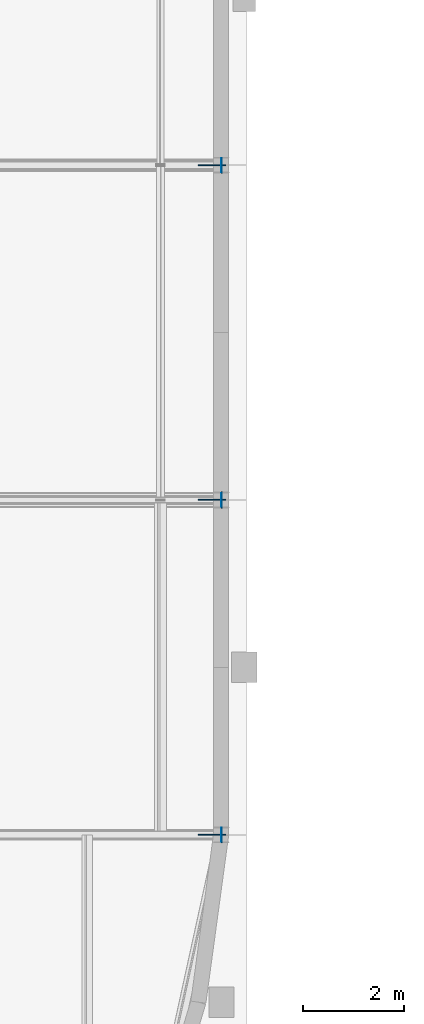
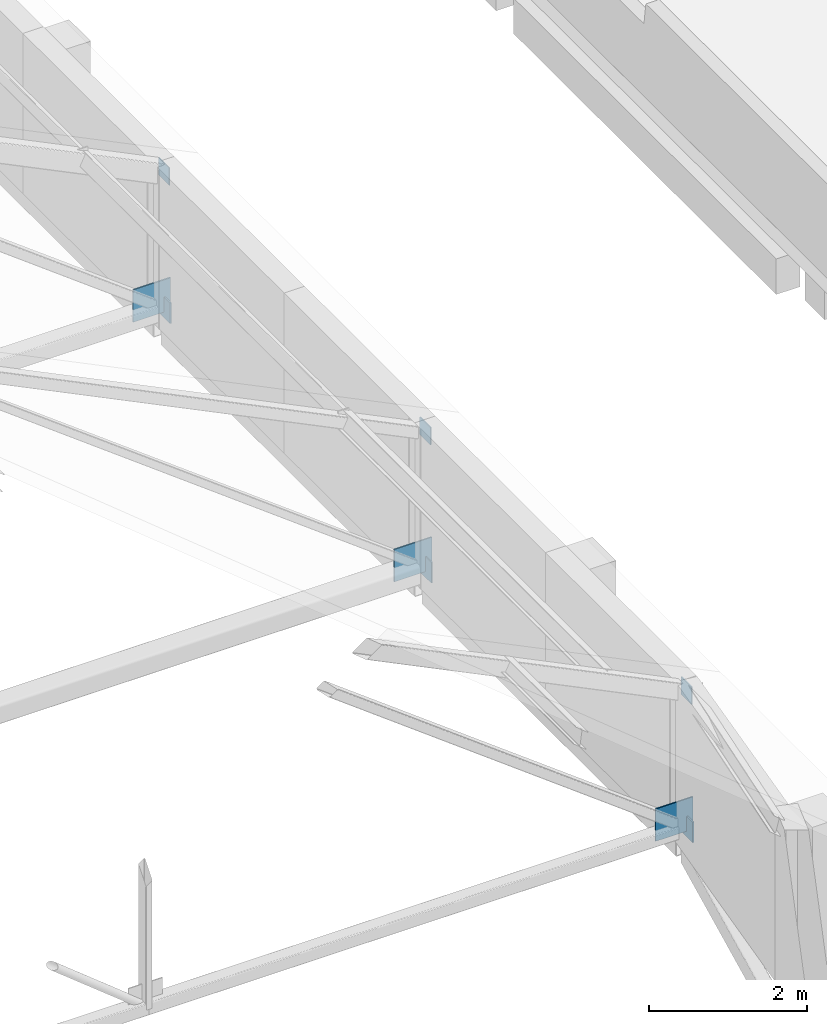
# One storey, part 43 of 78: 9 plates.
"""IFC4 building model written with IfcOpenShell, lengths in metres."""

from ifc_helpers import new_model, si_unit, direction, frame, origin, origin_2d, place, context, subcontext, project, spatial, rectangle, extrude, material, layer, layer_set, type_object, element, save


model = new_model("IFC4")

# Units and contexts
model_context = context("Model", 3, precision=1e-05, world=origin(), true_north=direction((0.0, 1.0)))
body_context = subcontext(model_context, "Body", "Model", "MODEL_VIEW")
ifc_project = project(units=[si_unit("LENGTHUNIT", "METRE"), si_unit("AREAUNIT", "SQUARE_METRE"), si_unit("VOLUMEUNIT", "CUBIC_METRE"), si_unit("PLANEANGLEUNIT", "RADIAN"), si_unit("MASSUNIT", "GRAM", prefix="KILO")], contexts=[model_context])

# Site, building, storey
site_placement = place(None, origin())
site = spatial("IfcSite", under=ifc_project, at=site_placement, CompositionType="ELEMENT")
building_placement = place(site_placement, origin())
building = spatial("IfcBuilding", under=site, at=building_placement, Name="Kelanivale Promenade Academy", CompositionType="ELEMENT")
storey_placement = place(building_placement, frame((0.0, 0.0, 16.199951171875)))
storey = spatial("IfcBuildingStorey", under=building, at=storey_placement, Name="L04", CompositionType="ELEMENT", Elevation=16.199951171875)

# Plates
ifc_material = material(Name="Steel S355", Category="steel")
ifc_layer_1 = layer(ifc_material, 0.01611328125)
ifc_layer_set_1 = layer_set([ifc_layer_1], Name="Steel S355")
plate_type_1 = type_object("IfcPlateType", Name="TN-CP16 Plate 16mm", PredefinedType="USERDEFINED", material=ifc_layer_set_1)
for number, where, z_axis, x_axis, name in (
    (1, (35.4580078125, 46.257080078125, 2.166015625), (0.0, 0.0, 1.0), (1.0, 0.0, 0.0), "ROOF TRUSS TN-5 hollow-section end cap plate"),
    (2, (35.4580078125, 52.885986328125, 2.166015625), (0.0, 0.0, 1.0), (1.0, 0.0, 0.0), "ROOF TRUSS TN-5 hollow-section end cap plate"),
    (3, (35.4580078125, 59.513916015625, 2.166015625), (0.0, 0.0, 1.0), (1.0, 0.0, 0.0), "ROOF TRUSS TN-5 hollow-section end cap plate"),
):
    element("IfcPlate", number, at=place(storey_placement, frame(where, z_axis=z_axis, x_axis=x_axis)), inside=storey, type_object=plate_type_1, Name=name, ObjectType="CAP PLATE", PredefinedType="USERDEFINED", context=body_context, shape_type="SweptSolid", body=[
        extrude(rectangle(XDim=0.01611328125, YDim=0.27001953125, at=origin_2d()), origin(), (0.0, 0.0, 1.0), 0.27001953125),
    ])
ifc_layer_2 = layer(ifc_material, 0.02001953125)
ifc_layer_set_2 = layer_set([ifc_layer_2], Name="Steel S355")
plate_type_2 = type_object("IfcPlateType", Name="TN-CP20 Plate 20mm", PredefinedType="USERDEFINED", material=ifc_layer_set_2)
for number, where, z_axis, x_axis, name in (
    (4, (35.4599609375, 46.257080078125, 0.0400390625), (0.0, 0.0, 1.0), (1.0, 0.0, 0.0), "ROOF TRUSS TN-5 hollow-section end cap plate"),
    (5, (35.4599609375, 52.885986328125, 0.0400390625), (0.0, 0.0, 1.0), (1.0, 0.0, 0.0), "ROOF TRUSS TN-5 hollow-section end cap plate"),
    (6, (35.4599609375, 59.513916015625, 0.0400390625), (0.0, 0.0, 1.0), (1.0, 0.0, 0.0), "ROOF TRUSS TN-5 hollow-section end cap plate"),
):
    element("IfcPlate", number, at=place(storey_placement, frame(where, z_axis=z_axis, x_axis=x_axis)), inside=storey, type_object=plate_type_2, Name=name, ObjectType="CAP PLATE", PredefinedType="USERDEFINED", context=body_context, shape_type="SweptSolid", body=[
        extrude(rectangle(XDim=0.02001953125, YDim=0.320068359375, at=origin_2d()), origin(), (0.0, 0.0, 1.0), 0.320068359375),
    ])
ifc_layer_3 = layer(ifc_material, 0.02001953125)
ifc_layer_set_3 = layer_set([ifc_layer_3], Name="Steel S355")
plate_type_3 = type_object("IfcPlateType", Name="TN-GP20 Plate 20mm", PredefinedType="USERDEFINED", material=ifc_layer_set_3)
for number, where, z_axis, x_axis, name in (
    (7, (35.27001953125, 46.257080078125, 0.130126953125), (0.0, 0.0, 1.0), (1.0, 0.0, 0.0), "ROOF TRUSS TN-5 welded node gusset plate"),
    (8, (35.27001953125, 52.885986328125, 0.130126953125), (0.0, 0.0, 1.0), (1.0, 0.0, 0.0), "ROOF TRUSS TN-5 welded node gusset plate"),
    (9, (35.27001953125, 59.513916015625, 0.130126953125), (0.0, 0.0, 1.0), (1.0, 0.0, 0.0), "ROOF TRUSS TN-5 welded node gusset plate"),
):
    element("IfcPlate", number, at=place(storey_placement, frame(where, z_axis=z_axis, x_axis=x_axis)), inside=storey, type_object=plate_type_3, Name=name, ObjectType="GUSSET PLATE", PredefinedType="USERDEFINED", context=body_context, shape_type="SweptSolid", body=[
        extrude(rectangle(XDim=0.550048828125, YDim=0.02001953125, at=origin_2d()), origin(), (0.0, 0.0, 1.0), 0.5),
    ])

save(model, "model.ifc")
